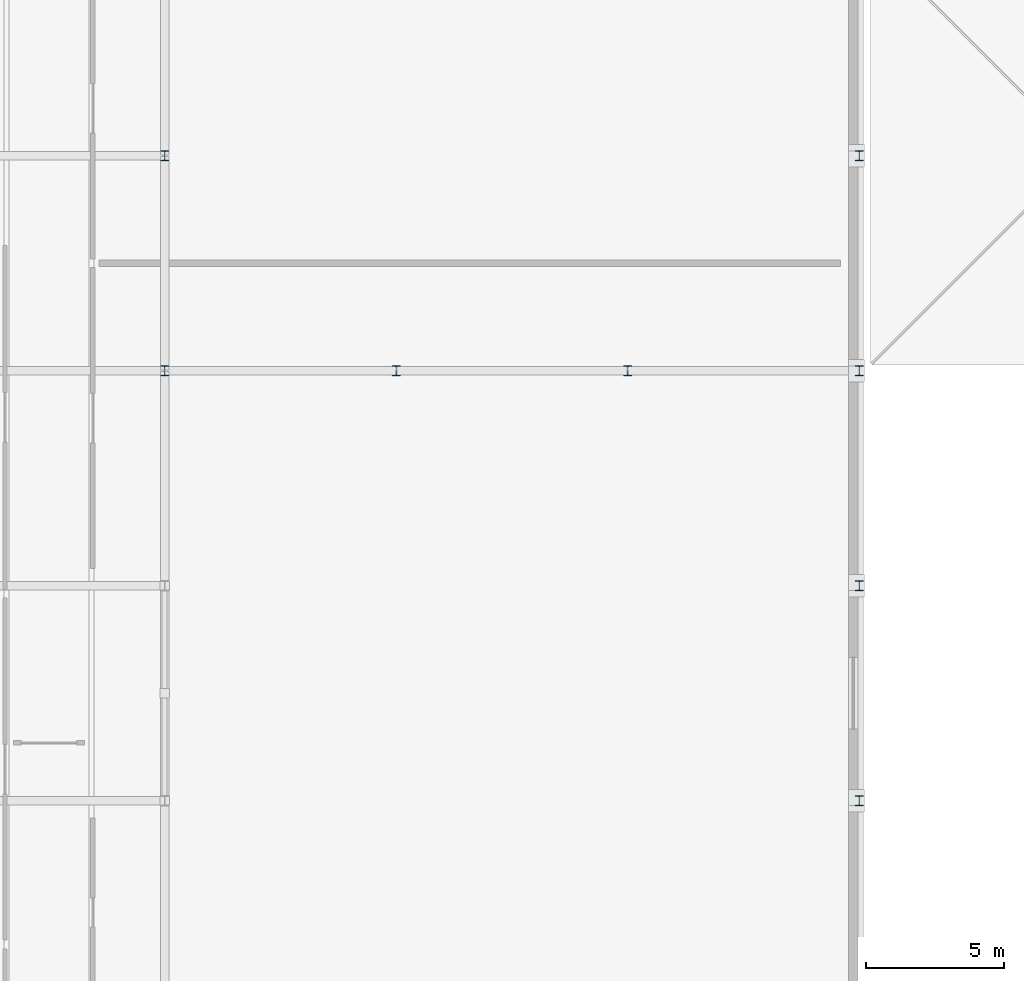
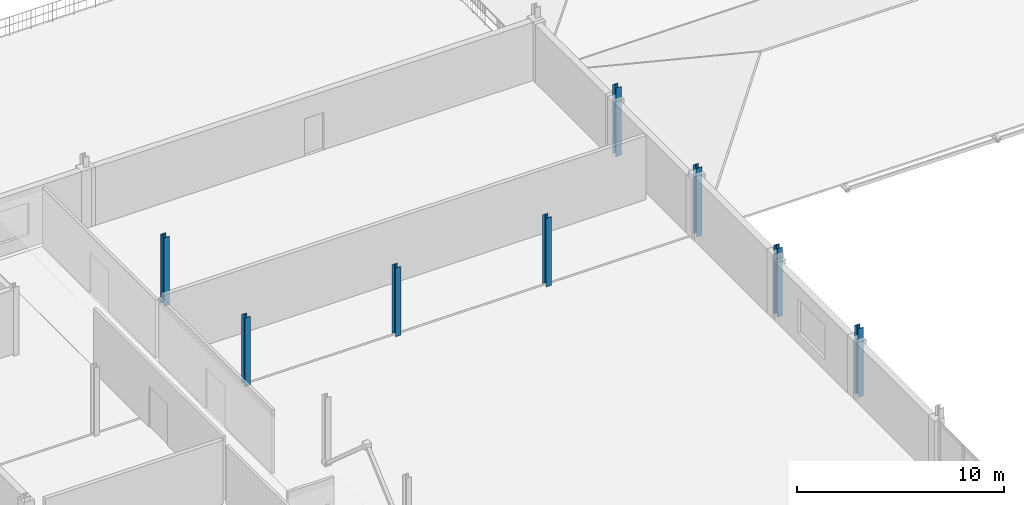
# One storey, part 5 of 77: 8 columns.
"""IFC4 building model written with IfcOpenShell, lengths in metres."""

from ifc_helpers import new_model, si_unit, direction, frame, origin, origin_2d, place, context, subcontext, project, spatial, i_section, extrude, material, material_profile, profile_set, type_object, element, save


model = new_model("IFC4")

# Units and contexts
model_context = context("Model", 3, precision=1e-05, world=origin(), true_north=direction((0.0, 1.0)))
body_context = subcontext(model_context, "Body", "Model", "MODEL_VIEW")
ifc_project = project(units=[si_unit("LENGTHUNIT", "METRE"), si_unit("AREAUNIT", "SQUARE_METRE"), si_unit("VOLUMEUNIT", "CUBIC_METRE"), si_unit("PLANEANGLEUNIT", "RADIAN"), si_unit("MASSUNIT", "GRAM", prefix="KILO")], contexts=[model_context])

# Site, building, storey
site_placement = place(None, origin())
site = spatial("IfcSite", under=ifc_project, at=site_placement, CompositionType="ELEMENT")
building_placement = place(site_placement, origin())
building = spatial("IfcBuilding", under=site, at=building_placement, Name="Nabrawat Pavilion Hospital", CompositionType="ELEMENT")
storey_placement = place(building_placement, frame((0.0, 0.0, 14.85009765625)))
storey = spatial("IfcBuildingStorey", under=building, at=storey_placement, Name="L03", CompositionType="ELEMENT", Elevation=14.85009765625)

# Columns
ifc_material = material(Name="Steel S355", Category="steel")
ifc_material_profile = material_profile(ifc_material, i_section(OverallWidth=0.300048828125, OverallDepth=0.35009765625, WebThickness=0.009521484375, FlangeThickness=0.017578125, FilletRadius=0.027099609375, at=origin_2d()), Name="HEA 360")
ifc_profile_set = profile_set([ifc_material_profile], Name="Steel S355")
column_type = type_object("IfcColumnType", Name="Pavilion Top Steel Column HEA 360", PredefinedType="COLUMN", material=ifc_profile_set)
for number, where, z_axis, x_axis, name in (
    (1, (33.60009765625, 85.800048828125, 0.0), (0.0, 0.0, 1.0), (1.0, 0.0, 0.0), "L03 Structural Column G-5-M1"),
    (2, (33.60009765625, 93.60009765625, 0.0), (0.0, 0.0, 1.0), (1.0, 0.0, 0.0), "L03 Structural Column G-5-N"),
    (3, (42.0, 85.800048828125, 0.0), (0.0, 0.0, 1.0), (1.0, 0.0, 0.0), "L03 Structural Column G-6-M1"),
    (4, (50.39990234375, 85.800048828125, 0.0), (0.0, 0.0, 1.0), (1.0, 0.0, 0.0), "L03 Structural Column G-7-M1"),
    (5, (58.800048828125, 70.199951171875, 0.0), (0.0, 0.0, 1.0), (1.0, 0.0, 0.0), "L03 Structural Column G-8A-K"),
    (6, (58.800048828125, 78.0, 0.0), (0.0, 0.0, 1.0), (1.0, 0.0, 0.0), "L03 Structural Column G-8A-L"),
    (7, (58.800048828125, 85.800048828125, 0.0), (0.0, 0.0, 1.0), (1.0, 0.0, 0.0), "L03 Structural Column G-8A-M1"),
    (8, (58.800048828125, 93.60009765625, 0.0), (0.0, 0.0, 1.0), (1.0, 0.0, 0.0), "L03 Structural Column G-8A-N"),
):
    element("IfcColumn", number, at=place(storey_placement, frame(where, z_axis=z_axis, x_axis=x_axis)), inside=storey, type_object=column_type, Name=name, PredefinedType="COLUMN", context=body_context, shape_type="SweptSolid", body=[
        extrude(i_section(OverallWidth=0.300048828125, OverallDepth=0.35009765625, WebThickness=0.009521484375, FlangeThickness=0.017578125, FilletRadius=0.027099609375, at=origin_2d()), origin(), (0.0, 0.0, 1.0), 4.0498046875),
    ])

save(model, "model.ifc")
